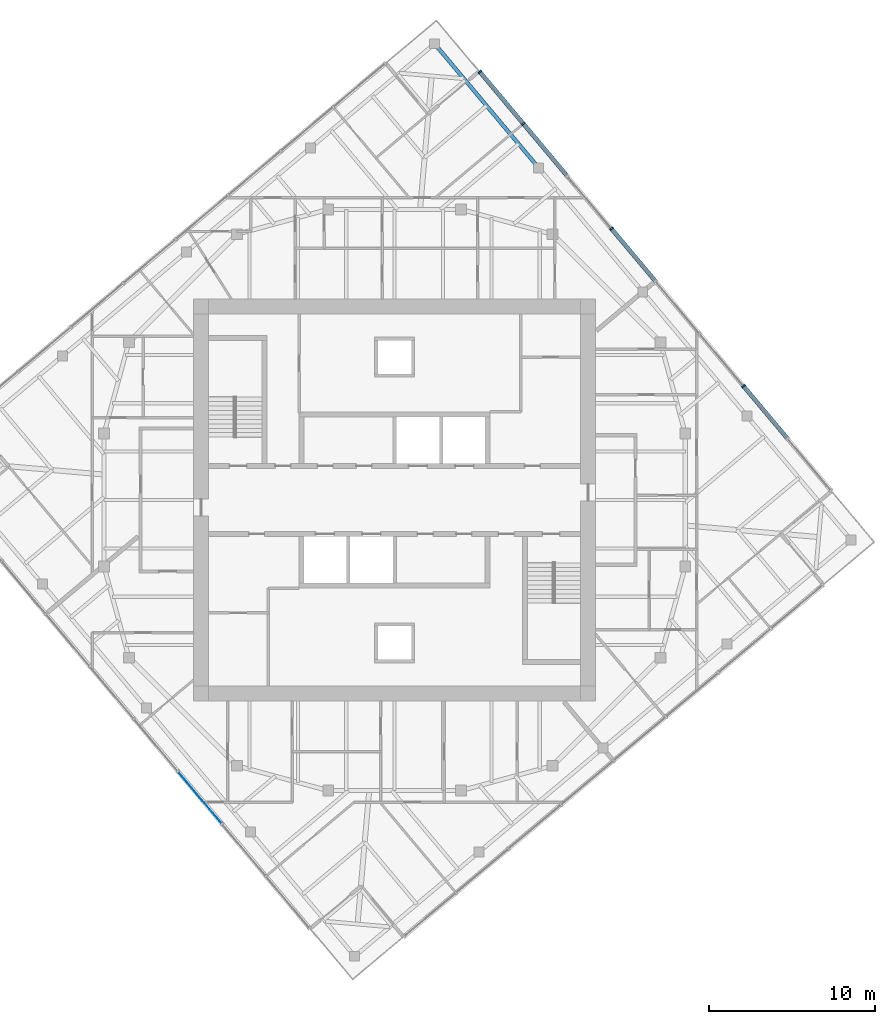
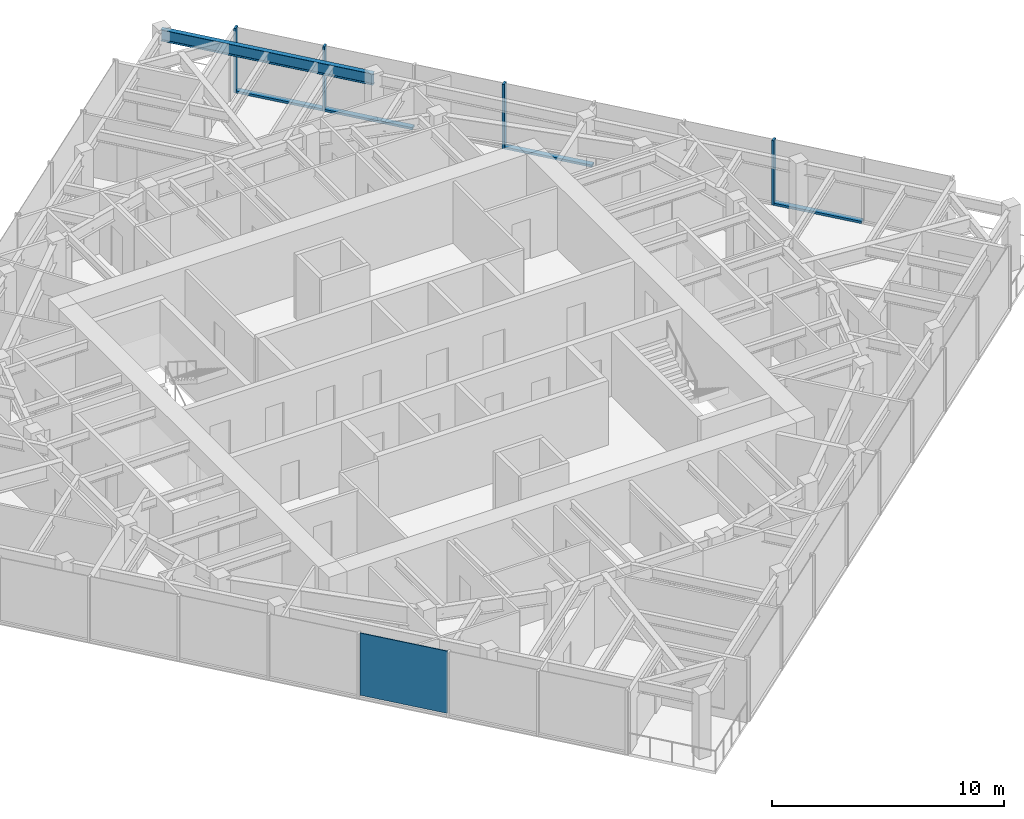
# One storey, part 5 of 12: 8 members, 1 beam, 1 plate, 2 elements without a shape of their own.
"""IFC4 building model written with IfcOpenShell, lengths in metres."""

from ifc_helpers import new_model, si_unit, direction, frame, origin, origin_2d, place, context, subcontext, project, spatial, rectangle, i_section, extrude, material, layer, layer_set, material_profile, profile_set, type_object, element, aggregate, save


model = new_model("IFC4")

# Units and contexts
model_context = context("Model", 3, precision=1e-05, world=origin(), true_north=direction((0.0, 1.0)))
body_context = subcontext(model_context, "Body", "Model", "MODEL_VIEW")
ifc_project = project(units=[si_unit("LENGTHUNIT", "METRE"), si_unit("AREAUNIT", "SQUARE_METRE"), si_unit("VOLUMEUNIT", "CUBIC_METRE"), si_unit("PLANEANGLEUNIT", "RADIAN"), si_unit("MASSUNIT", "GRAM", prefix="KILO")], contexts=[model_context])

# Site, building, storey
site_placement = place(None, origin())
site = spatial("IfcSite", under=ifc_project, at=site_placement, CompositionType="ELEMENT")
building_placement = place(site_placement, origin())
building = spatial("IfcBuilding", under=site, at=building_placement, Name="Torsade Residences", CompositionType="ELEMENT")
storey_placement = place(building_placement, frame((0.0, 0.0, 293.0)))
storey = spatial("IfcBuildingStorey", under=building, at=storey_placement, Name="L81", CompositionType="ELEMENT", Elevation=293.0)

# Beam
ifc_material_1 = material(Name="Steel grade 300", Category="steel")
ifc_material_profile_1 = material_profile(ifc_material_1, i_section(OverallWidth=0.22802734375, OverallDepth=0.60205078125, WebThickness=0.010498046875, FlangeThickness=0.014892578125, FilletRadius=0.013916015625, at=origin_2d()), Name="610UB101")
ifc_profile_set_1 = profile_set([ifc_material_profile_1], Name="Steel grade 300")
beam_type = type_object("IfcBeamType", Name="EDGE BEAM 610UB101", PredefinedType="SPANDREL", material=ifc_profile_set_1)
beam_placement = place(storey_placement, frame((48.670654296875, 50.003173828125, 2.948974609375), z_axis=(-0.642779160279, 0.766051532934, 0.0), x_axis=(-0.766051532934, -0.642779160279, 0.0)))
element("IfcBeam", 1, at=beam_placement, inside=storey, type_object=beam_type, Name="Edge beam 08 L82", PredefinedType="SPANDREL", context=body_context, shape_type="SweptSolid", body=[
    extrude(i_section(OverallWidth=0.22802734375, OverallDepth=0.60205078125, WebThickness=0.010498046875, FlangeThickness=0.014892578125, FilletRadius=0.013916015625, at=origin_2d()), origin(), (0.0, 0.0, 1.0), 9.75),
])

# Curtain wall, members
ifc_material_2 = material(Name="Aluminium and glass", Category="aluminium")
curtain_wall_type = type_object("IfcCurtainWallType", Name="FRITTED GLASS CURTAIN WALL HIGH ZONE", PredefinedType="NOTDEFINED", material=ifc_material_2)
curtain_wall_1_placement = place(storey_placement, origin())
curtain_wall_1 = element("IfcCurtainWall", 2, at=curtain_wall_1_placement, inside=storey, type_object=curtain_wall_type, Name="Curtain wall L81 face 4", PredefinedType="NOTDEFINED")
ifc_material_3 = material(Name="Aluminium mullion", Category="aluminium")
ifc_material_profile_2 = material_profile(ifc_material_3, rectangle(XDim=0.25, YDim=0.10009765625, at=origin_2d()), Name="HIGH ZONE CURTAIN WALL MULLION 250x100")
ifc_profile_set_2 = profile_set([ifc_material_profile_2], Name="Aluminium mullion")
member_type_1 = type_object("IfcMemberType", Name="HIGH ZONE CURTAIN WALL MULLION 250x100", PredefinedType="MULLION", material=ifc_profile_set_2)
member_1_placement = place(storey_placement, frame((61.0068359375, 36.857177734375, 0.0), z_axis=(0.0, 0.0, 1.0), x_axis=(-0.766044437106, -0.642787616853, 0.0)))
member_1 = element("IfcMember", 3, at=member_1_placement, type_object=member_type_1, Name="Mullion 3", PredefinedType="MULLION", context=body_context, shape_type="SweptSolid", body=[
    extrude(rectangle(XDim=0.25, YDim=0.10009765625, at=origin_2d()), origin(), (0.0, 0.0, 1.0), 3.39990234375),
])
member_2_placement = place(storey_placement, frame((53.052490234375, 46.337158203125, 0.0), z_axis=(0.0, 0.0, 1.0), x_axis=(-0.766044437106, -0.642787616853, 0.0)))
member_2 = element("IfcMember", 4, at=member_2_placement, type_object=member_type_1, Name="Mullion 6", PredefinedType="MULLION", context=body_context, shape_type="SweptSolid", body=[
    extrude(rectangle(XDim=0.25, YDim=0.10009765625, at=origin_2d()), origin(), (0.0, 0.0, 1.0), 3.39990234375),
])
member_3_placement = place(storey_placement, frame((47.74951171875, 52.656982421875, 0.0), z_axis=(0.0, 0.0, 1.0), x_axis=(-0.766044437106, -0.642787616853, 0.0)))
member_3 = element("IfcMember", 5, at=member_3_placement, type_object=member_type_1, Name="Mullion 8", PredefinedType="MULLION", context=body_context, shape_type="SweptSolid", body=[
    extrude(rectangle(XDim=0.25, YDim=0.10009765625, at=origin_2d()), origin(), (0.0, 0.0, 1.0), 3.39990234375),
])
member_4_placement = place(storey_placement, frame((45.130126953125, 55.778564453125, 0.0), z_axis=(0.0, 0.0, 1.0), x_axis=(-0.766044437106, -0.642787616853, 0.0)))
member_4 = element("IfcMember", 6, at=member_4_placement, type_object=member_type_1, Name="Mullion 9", PredefinedType="MULLION", context=body_context, shape_type="SweptSolid", body=[
    extrude(rectangle(XDim=0.25, YDim=0.10009765625, at=origin_2d()), origin(), (0.0, 0.0, 1.0), 3.39990234375),
])
ifc_material_4 = material(Name="Aluminium transom", Category="aluminium")
ifc_material_profile_3 = material_profile(ifc_material_4, rectangle(XDim=0.25, YDim=0.1201171875, at=origin_2d()), Name="HIGH ZONE CURTAIN WALL TRANSOM 250x120")
ifc_profile_set_3 = profile_set([ifc_material_profile_3], Name="Aluminium transom")
member_type_2 = type_object("IfcMemberType", Name="HIGH ZONE CURTAIN WALL TRANSOM 250x120", PredefinedType="USERDEFINED", material=ifc_profile_set_3)
member_5_placement = place(storey_placement, frame((63.626220703125, 33.735595703125, 0.06005859375), z_axis=(-0.6427581255, 0.766069182322, 0.0), x_axis=(-0.766069182322, -0.6427581255, 0.0)))
member_5 = element("IfcMember", 7, at=member_5_placement, type_object=member_type_2, Name="Transom 2.1", ObjectType="TRANSOM", PredefinedType="USERDEFINED", context=body_context, shape_type="SweptSolid", body=[
    extrude(rectangle(XDim=0.25, YDim=0.1201171875, at=origin_2d()), origin(), (0.0, 0.0, 1.0), 4.025146484375),
])
member_6_placement = place(storey_placement, frame((55.671875, 43.21533203125, 0.06005859375), z_axis=(-0.642793719372, 0.766039316443, 0.0), x_axis=(-0.766039316443, -0.642793719372, 0.0)))
member_6 = element("IfcMember", 8, at=member_6_placement, type_object=member_type_2, Name="Transom 5.1", ObjectType="TRANSOM", PredefinedType="USERDEFINED", context=body_context, shape_type="SweptSolid", body=[
    extrude(rectangle(XDim=0.25, YDim=0.1201171875, at=origin_2d()), origin(), (0.0, 0.0, 1.0), 4.025146484375),
])
member_7_placement = place(storey_placement, frame((50.36865234375, 49.535400390625, 0.06005859375), z_axis=(-0.642787992616, 0.766044121803, 0.0), x_axis=(-0.766044121803, -0.642787992616, 0.0)))
member_7 = element("IfcMember", 9, at=member_7_placement, type_object=member_type_2, Name="Transom 7.1", ObjectType="TRANSOM", PredefinedType="USERDEFINED", context=body_context, shape_type="SweptSolid", body=[
    extrude(rectangle(XDim=0.25, YDim=0.1201171875, at=origin_2d()), origin(), (0.0, 0.0, 1.0), 4.02490234375),
])
member_8_placement = place(storey_placement, frame((47.71728515625, 52.6953125, 0.06005859375), z_axis=(-0.642814619413, 0.766021778456, 0.0), x_axis=(-0.766021778456, -0.642814619413, 0.0)))
member_8 = element("IfcMember", 10, at=member_8_placement, type_object=member_type_2, Name="Transom 8.1", ObjectType="TRANSOM", PredefinedType="USERDEFINED", context=body_context, shape_type="SweptSolid", body=[
    extrude(rectangle(XDim=0.25, YDim=0.1201171875, at=origin_2d()), origin(), (0.0, 0.0, 1.0), 3.97509765625),
])
aggregate(curtain_wall_1, [member_1, member_2, member_3, member_4, member_5, member_6, member_7, member_8])

# Curtain wall, plate
curtain_wall_2_placement = place(storey_placement, origin())
curtain_wall_2 = element("IfcCurtainWall", 11, at=curtain_wall_2_placement, inside=storey, type_object=curtain_wall_type, Name="Curtain wall L81 face 10", PredefinedType="NOTDEFINED")
ifc_material_5 = material(Name="Laminated glass", Category="glass")
ifc_layer = layer(ifc_material_5, 0.0400390625)
ifc_layer_set = layer_set([ifc_layer], Name="Laminated glass")
plate_type = type_object("IfcPlateType", Name="OPERABLE VENT PANEL", PredefinedType="CURTAIN_PANEL", material=ifc_layer_set)
plate_placement = place(storey_placement, frame((28.2734375, 12.0830078125, 0.1201171875), z_axis=(0.0, 0.0, 1.0), x_axis=(0.642787616853, -0.766044437106, 0.0)))
plate = element("IfcPlate", 12, at=plate_placement, type_object=plate_type, Name="Panel 6", PredefinedType="CURTAIN_PANEL", context=body_context, shape_type="SweptSolid", body=[
    extrude(rectangle(XDim=4.02490234375, YDim=0.0400390625, at=origin_2d()), origin(), (0.0, 0.0, 1.0), 3.280029296875),
])
aggregate(curtain_wall_2, [plate])

save(model, "model.ifc")
